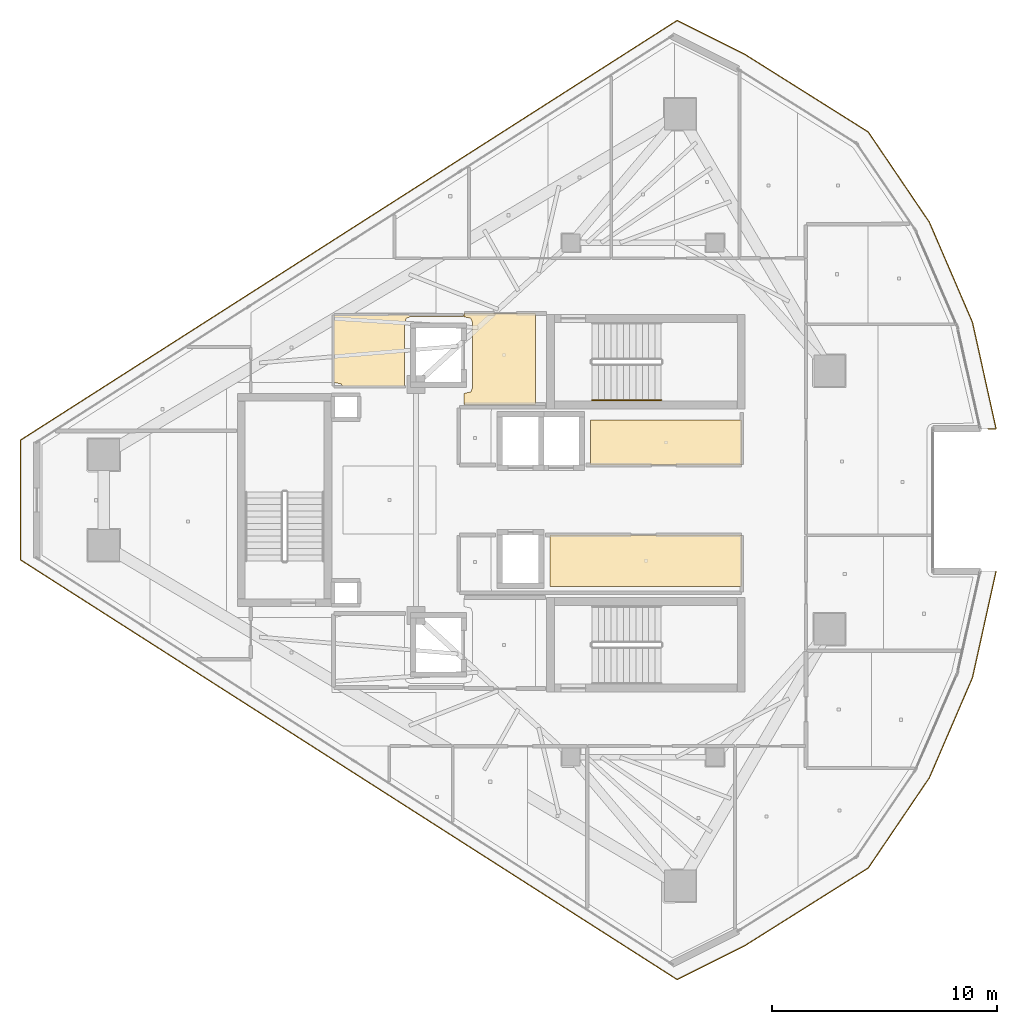
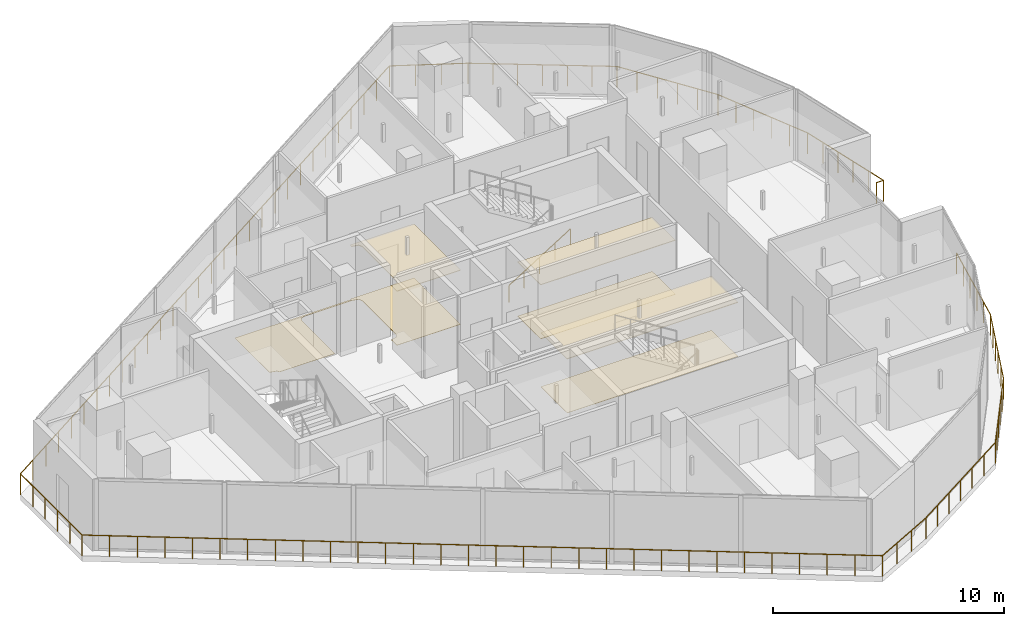
# One storey, part 24 of 26: 7 coverings, 2 railings.
"""IFC4 building model written with IfcOpenShell, lengths in metres."""

from ifc_helpers import new_model, si_unit, direction, frame, origin, origin_2d, place, context, subcontext, project, spatial, polyline, circle, outline, extrude, material, layer, layer_set, type_object, element, save


model = new_model("IFC4")

# Units and contexts
model_context = context("Model", 3, precision=1e-05, world=origin(), true_north=direction((0.0, 1.0)))
body_context = subcontext(model_context, "Body", "Model", "MODEL_VIEW")
ifc_project = project(units=[si_unit("LENGTHUNIT", "METRE"), si_unit("AREAUNIT", "SQUARE_METRE"), si_unit("VOLUMEUNIT", "CUBIC_METRE"), si_unit("PLANEANGLEUNIT", "RADIAN"), si_unit("MASSUNIT", "GRAM", prefix="KILO")], contexts=[model_context])

# Site, building, storey
site_placement = place(None, origin())
site = spatial("IfcSite", under=ifc_project, at=site_placement, CompositionType="ELEMENT")
building_placement = place(site_placement, origin())
building = spatial("IfcBuilding", under=site, at=building_placement, Name="Qorvath Tower", CompositionType="ELEMENT")
storey_placement = place(building_placement, frame((0.0, 0.0, 322.800048828125)))
storey = spatial("IfcBuildingStorey", under=building, at=storey_placement, Name="L75", CompositionType="ELEMENT", Elevation=322.800048828125)

# Coverings
ifc_material_1 = material(Name="Acoustic mineral fibre ceiling tile", Category="gypsum")
ifc_layer_1 = layer(ifc_material_1, 0.030029296875)
ifc_layer_set_1 = layer_set([ifc_layer_1], Name="COV-CEIL")
covering_type_1 = type_object("IfcCoveringType", Name="COV-CEIL", PredefinedType="CEILING", material=ifc_layer_set_1)
covering_1_placement = place(storey_placement, frame((0.0, 0.0, 2.849853515625)))
element("IfcCovering", 1, at=covering_1_placement, inside=storey, type_object=covering_type_1, Name="L75 Suspended Acoustic Ceiling 001", PredefinedType="CEILING", context=body_context, shape_type="SweptSolid", body=[
    extrude(outline(polyline([(-25.18994140625, 4.2548828125), (-25.18994140625, 8.294921875), (-28.375, 8.294921875), (-28.375, 8.159912109375), (-28.063232421875, 8.086669921875), (-27.989990234375, 7.909912109375), (-27.989990234375, 4.989990234375), (-28.063232421875, 4.813232421875), (-28.375, 4.739990234375), (-28.375, 4.2548828125), (-25.18994140625, 4.2548828125)])), origin(), (0.0, 0.0, 1.0), 0.030029296875),
])
covering_2_placement = place(storey_placement, frame((0.0, 0.0, 2.849853515625)))
element("IfcCovering", 2, at=covering_2_placement, inside=storey, type_object=covering_type_1, Name="L75 Suspended Acoustic Ceiling 003", PredefinedType="CEILING", context=body_context, shape_type="SweptSolid", body=[
    extrude(outline(polyline([(-16.0048828125, 3.56005859375), (-22.739990234375, 3.56005859375), (-22.739990234375, 1.56494140625), (-16.0048828125, 1.56494140625), (-16.0048828125, 3.56005859375)])), origin(), (0.0, 0.0, 1.0), 0.030029296875),
])
covering_3_placement = place(storey_placement, frame((0.0, 0.0, 2.849853515625)))
element("IfcCovering", 3, at=covering_3_placement, inside=storey, type_object=covering_type_1, Name="L75 Suspended Acoustic Ceiling 005", PredefinedType="CEILING", context=body_context, shape_type="SweptSolid", body=[
    extrude(outline(polyline([(-24.5400390625, -1.56494140625), (-24.5400390625, -3.85009765625), (-16.0048828125, -3.85009765625), (-16.0048828125, -1.56494140625), (-24.5400390625, -1.56494140625)])), origin(), (0.0, 0.0, 1.0), 0.030029296875),
])
ifc_material_2 = material(Name="Low-VOC modular carpet tile", Category="textile")
ifc_layer_2 = layer(ifc_material_2, 0.014892578125)
ifc_layer_set_2 = layer_set([ifc_layer_2], Name="COV-FLOOR-CPT")
covering_type_2 = type_object("IfcCoveringType", Name="COV-FLOOR-CPT", PredefinedType="FLOORING", material=ifc_layer_set_2)
covering_4_placement = place(storey_placement, origin())
element("IfcCovering", 4, at=covering_4_placement, inside=storey, type_object=covering_type_2, Name="L75 Floor Finish 003", PredefinedType="FLOORING", context=body_context, shape_type="SweptSolid", body=[
    extrude(outline(polyline([(-16.0048828125, 3.56005859375), (-22.739990234375, 3.56005859375), (-22.739990234375, 1.56494140625), (-16.0048828125, 1.56494140625), (-16.0048828125, 3.56005859375)])), origin(), (0.0, 0.0, 1.0), 0.014892578125),
])
covering_5_placement = place(storey_placement, origin())
element("IfcCovering", 5, at=covering_5_placement, inside=storey, type_object=covering_type_2, Name="L75 Floor Finish 005", PredefinedType="FLOORING", context=body_context, shape_type="SweptSolid", body=[
    extrude(outline(polyline([(-24.5400390625, -1.56494140625), (-24.5400390625, -3.85009765625), (-16.0048828125, -3.85009765625), (-16.0048828125, -1.56494140625), (-24.5400390625, -1.56494140625)])), origin(), (0.0, 0.0, 1.0), 0.014892578125),
])
ifc_material_3 = material(Name="Polished epoxy terrazzo flooring", Category="concrete")
ifc_layer_3 = layer(ifc_material_3, 0.02001953125)
ifc_layer_set_3 = layer_set([ifc_layer_3], Name="COV-FLOOR-TRZ")
covering_type_3 = type_object("IfcCoveringType", Name="COV-FLOOR-TRZ", PredefinedType="FLOORING", material=ifc_layer_set_3)
covering_6_placement = place(storey_placement, origin())
element("IfcCovering", 6, at=covering_6_placement, inside=storey, type_object=covering_type_3, Name="L75 Floor Finish 001", PredefinedType="FLOORING", context=body_context, shape_type="SweptSolid", body=[
    extrude(outline(polyline([(-25.18994140625, 4.2548828125), (-25.18994140625, 8.294921875), (-28.375, 8.294921875), (-28.375, 8.159912109375), (-28.063232421875, 8.086669921875), (-27.989990234375, 7.909912109375), (-27.989990234375, 4.989990234375), (-28.063232421875, 4.813232421875), (-28.375, 4.739990234375), (-28.375, 4.2548828125), (-25.18994140625, 4.2548828125)])), origin(), (0.0, 0.0, 1.0), 0.014892578125),
])
covering_7_placement = place(storey_placement, origin())
element("IfcCovering", 7, at=covering_7_placement, inside=storey, type_object=covering_type_3, Name="L75 Floor Finish 007", PredefinedType="FLOORING", context=body_context, shape_type="SweptSolid", body=[
    extrude(outline(polyline([(-31.010009765625, 5.054931640625), (-31.010009765625, 7.909912109375), (-30.936767578125, 8.086669921875), (-30.760009765625, 8.159912109375), (-28.39306640625, 8.159912109375), (-28.39306640625, 8.2451171875), (-34.175048828125, 8.2451171875), (-34.175048828125, 5.239990234375), (-33.833251953125, 5.166748046875), (-33.786865234375, 5.054931640625), (-31.010009765625, 5.054931640625)])), origin(), (0.0, 0.0, 1.0), 0.014892578125),
])

# Railings
ifc_material_4 = material(Name="Laminated safety glass and stainless steel AISI 316", Category="steel")
railing_type_1 = type_object("IfcRailingType", Name="RL-EXT-GRD", PredefinedType="GUARDRAIL", material=ifc_material_4)
railing_1_placement = place(storey_placement, frame((-4.6796875, -3.169921875, 0.0)))
element("IfcRailing", 8, at=railing_1_placement, inside=storey, type_object=railing_type_1, Name="Loggia Perimeter Guardrail L75-1.1", PredefinedType="GUARDRAIL", context=body_context, shape_type="SweptSolid", body=[
    extrude(circle(Radius=0.02392578125, at=origin_2d()), frame((0.0, 0.0, 1.09619140625), z_axis=(-0.216078275502, -0.976376043774, 0.0), x_axis=(0.976376043774, -0.216078275502, 0.0)), (0.0, 0.0, 1.0), 4.85400390625),
    extrude(circle(Radius=0.02392578125, at=origin_2d()), frame((-1.048828125, -4.7392578125, 1.09619140625), z_axis=(-0.395484869511, -0.918472491688, 0.0), x_axis=(0.918472491688, -0.395484869511, 0.0)), (0.0, 0.0, 1.0), 4.85400390625),
    extrude(circle(Radius=0.02392578125, at=origin_2d()), frame((-2.968505859375, -9.197509765625, 1.09619140625), z_axis=(-0.560871500089, -0.827902868933, 0.0), x_axis=(0.827902868933, -0.560871500089, 0.0)), (0.0, 0.0, 1.0), 4.85400390625),
    extrude(circle(Radius=0.02392578125, at=origin_2d()), frame((-5.69091796875, -13.216064453125, 1.09619140625), z_axis=(-0.846490446369, -0.532403910773, 0.0), x_axis=(0.532403910773, -0.846490446369, 0.0)), (0.0, 0.0, 1.0), 6.454833984375),
    extrude(circle(Radius=0.02392578125, at=origin_2d()), frame((-11.15478515625, -16.652587890625, 1.09619140625), z_axis=(-0.894427191, -0.4472135955, 0.0), x_axis=(0.4472135955, -0.894427191, 0.0)), (0.0, 0.0, 1.0), 3.40966796875),
    extrude(circle(Radius=0.02392578125, at=origin_2d()), frame((-14.20458984375, -18.177490234375, 1.09619140625), z_axis=(-0.842603990585, 0.538533671231, 0.0), x_axis=(-0.538533671231, -0.842603990585, 0.0)), (0.0, 0.0, 1.0), 34.684814453125),
    extrude(circle(Radius=0.02392578125, at=origin_2d()), frame((-43.43017578125, 0.50146484375, 1.09619140625), z_axis=(0.0, 1.0, 0.0), x_axis=(-1.0, 0.0, 0.0)), (0.0, 0.0, 1.0), 5.3369140625),
    extrude(circle(Radius=0.02392578125, at=origin_2d()), frame((-43.43017578125, 5.83837890625, 1.09619140625), z_axis=(0.842603990585, 0.538533671231, 0.0), x_axis=(-0.538533671231, 0.842603990585, 0.0)), (0.0, 0.0, 1.0), 34.684814453125),
    extrude(circle(Radius=0.02392578125, at=origin_2d()), frame((-14.20458984375, 24.517333984375, 1.09619140625), z_axis=(0.894427191, -0.4472135955, 0.0), x_axis=(0.4472135955, 0.894427191, 0.0)), (0.0, 0.0, 1.0), 3.40966796875),
    extrude(circle(Radius=0.02392578125, at=origin_2d()), frame((-11.15478515625, 22.992431640625, 1.09619140625), z_axis=(0.846490446369, -0.532403910773, 0.0), x_axis=(0.532403910773, 0.846490446369, 0.0)), (0.0, 0.0, 1.0), 6.454833984375),
    extrude(circle(Radius=0.02392578125, at=origin_2d()), frame((-5.69091796875, 19.555908203125, 1.09619140625), z_axis=(0.560871500089, -0.827902868933, 0.0), x_axis=(0.827902868933, 0.560871500089, 0.0)), (0.0, 0.0, 1.0), 4.85400390625),
    extrude(circle(Radius=0.02392578125, at=origin_2d()), frame((-2.968505859375, 15.537353515625, 1.09619140625), z_axis=(0.395484869511, -0.918472491688, 0.0), x_axis=(0.918472491688, 0.395484869511, 0.0)), (0.0, 0.0, 1.0), 4.85400390625),
    extrude(circle(Radius=0.02392578125, at=origin_2d()), frame((-1.048828125, 11.0791015625, 1.09619140625), z_axis=(0.216078275502, -0.976376043774, 0.0), x_axis=(0.976376043774, 0.216078275502, 0.0)), (0.0, 0.0, 1.0), 4.85400390625),
    extrude(circle(Radius=0.02392578125, at=origin_2d()), frame((0.0, 6.33984375, 1.09619140625), z_axis=(-1.0, 0.0, 0.0), x_axis=(0.0, -1.0, 0.0)), (0.0, 0.0, 1.0), 0.354248046875),
    extrude(circle(Radius=0.02099609375, at=origin_2d()), origin(), (0.0, 0.0, 1.0), 1.072021484375),
    extrude(circle(Radius=0.02099609375, at=origin_2d()), frame((-0.209716796875, -0.94775390625, 0.0)), (0.0, 0.0, 1.0), 1.072021484375),
    extrude(circle(Radius=0.02099609375, at=origin_2d()), frame((-0.41943359375, -1.895751953125, 0.0)), (0.0, 0.0, 1.0), 1.072021484375),
    extrude(circle(Radius=0.02099609375, at=origin_2d()), frame((-0.62939453125, -2.843505859375, 0.0)), (0.0, 0.0, 1.0), 1.072021484375),
    extrude(circle(Radius=0.02099609375, at=origin_2d()), frame((-0.839111328125, -3.79150390625, 0.0)), (0.0, 0.0, 1.0), 1.072021484375),
    extrude(circle(Radius=0.02099609375, at=origin_2d()), frame((-1.048828125, -4.7392578125, 0.0)), (0.0, 0.0, 1.0), 1.072021484375),
    extrude(circle(Radius=0.02099609375, at=origin_2d()), frame((-1.432861328125, -5.630859375, 0.0)), (0.0, 0.0, 1.0), 1.072021484375),
    extrude(circle(Radius=0.02099609375, at=origin_2d()), frame((-1.816650390625, -6.5224609375, 0.0)), (0.0, 0.0, 1.0), 1.072021484375),
    extrude(circle(Radius=0.02099609375, at=origin_2d()), frame((-2.20068359375, -7.414306640625, 0.0)), (0.0, 0.0, 1.0), 1.072021484375),
    extrude(circle(Radius=0.02099609375, at=origin_2d()), frame((-2.58447265625, -8.305908203125, 0.0)), (0.0, 0.0, 1.0), 1.072021484375),
    extrude(circle(Radius=0.02099609375, at=origin_2d()), frame((-2.968505859375, -9.197509765625, 0.0)), (0.0, 0.0, 1.0), 1.072021484375),
    extrude(circle(Radius=0.02099609375, at=origin_2d()), frame((-3.512939453125, -10.001220703125, 0.0)), (0.0, 0.0, 1.0), 1.072021484375),
    extrude(circle(Radius=0.02099609375, at=origin_2d()), frame((-4.057373046875, -10.804931640625, 0.0)), (0.0, 0.0, 1.0), 1.072021484375),
    extrude(circle(Radius=0.02099609375, at=origin_2d()), frame((-4.60205078125, -11.608642578125, 0.0)), (0.0, 0.0, 1.0), 1.072021484375),
    extrude(circle(Radius=0.02099609375, at=origin_2d()), frame((-5.146484375, -12.412353515625, 0.0)), (0.0, 0.0, 1.0), 1.072021484375),
    extrude(circle(Radius=0.02099609375, at=origin_2d()), frame((-5.69091796875, -13.216064453125, 0.0)), (0.0, 0.0, 1.0), 1.072021484375),
    extrude(circle(Radius=0.02099609375, at=origin_2d()), frame((-6.6015625, -13.788818359375, 0.0)), (0.0, 0.0, 1.0), 1.072021484375),
    extrude(circle(Radius=0.02099609375, at=origin_2d()), frame((-7.51220703125, -14.361572265625, 0.0)), (0.0, 0.0, 1.0), 1.072021484375),
    extrude(circle(Radius=0.02099609375, at=origin_2d()), frame((-8.4228515625, -14.934326171875, 0.0)), (0.0, 0.0, 1.0), 1.072021484375),
    extrude(circle(Radius=0.02099609375, at=origin_2d()), frame((-9.33349609375, -15.507080078125, 0.0)), (0.0, 0.0, 1.0), 1.072021484375),
    extrude(circle(Radius=0.02099609375, at=origin_2d()), frame((-10.244140625, -16.079833984375, 0.0)), (0.0, 0.0, 1.0), 1.072021484375),
    extrude(circle(Radius=0.02099609375, at=origin_2d()), frame((-11.15478515625, -16.652587890625, 0.0)), (0.0, 0.0, 1.0), 1.072021484375),
    extrude(circle(Radius=0.02099609375, at=origin_2d()), frame((-12.17138671875, -17.160888671875, 0.0)), (0.0, 0.0, 1.0), 1.072021484375),
    extrude(circle(Radius=0.02099609375, at=origin_2d()), frame((-13.18798828125, -17.669189453125, 0.0)), (0.0, 0.0, 1.0), 1.072021484375),
    extrude(circle(Radius=0.02099609375, at=origin_2d()), frame((-14.20458984375, -18.177490234375, 0.0)), (0.0, 0.0, 1.0), 1.072021484375),
    extrude(circle(Radius=0.02099609375, at=origin_2d()), frame((-15.21240234375, -17.533447265625, 0.0)), (0.0, 0.0, 1.0), 1.072021484375),
    extrude(circle(Radius=0.02099609375, at=origin_2d()), frame((-16.22021484375, -16.889404296875, 0.0)), (0.0, 0.0, 1.0), 1.072021484375),
    extrude(circle(Radius=0.02099609375, at=origin_2d()), frame((-17.22802734375, -16.2451171875, 0.0)), (0.0, 0.0, 1.0), 1.072021484375),
    extrude(circle(Radius=0.02099609375, at=origin_2d()), frame((-18.235595703125, -15.60107421875, 0.0)), (0.0, 0.0, 1.0), 1.072021484375),
    extrude(circle(Radius=0.02099609375, at=origin_2d()), frame((-19.243408203125, -14.95703125, 0.0)), (0.0, 0.0, 1.0), 1.072021484375),
    extrude(circle(Radius=0.02099609375, at=origin_2d()), frame((-20.251220703125, -14.31298828125, 0.0)), (0.0, 0.0, 1.0), 1.072021484375),
    extrude(circle(Radius=0.02099609375, at=origin_2d()), frame((-21.259033203125, -13.668701171875, 0.0)), (0.0, 0.0, 1.0), 1.072021484375),
    extrude(circle(Radius=0.02099609375, at=origin_2d()), frame((-22.266845703125, -13.024658203125, 0.0)), (0.0, 0.0, 1.0), 1.072021484375),
    extrude(circle(Radius=0.02099609375, at=origin_2d()), frame((-23.274658203125, -12.380615234375, 0.0)), (0.0, 0.0, 1.0), 1.072021484375),
    extrude(circle(Radius=0.02099609375, at=origin_2d()), frame((-24.282470703125, -11.736572265625, 0.0)), (0.0, 0.0, 1.0), 1.072021484375),
    extrude(circle(Radius=0.02099609375, at=origin_2d()), frame((-25.2900390625, -11.09228515625, 0.0)), (0.0, 0.0, 1.0), 1.072021484375),
    extrude(circle(Radius=0.02099609375, at=origin_2d()), frame((-26.2978515625, -10.4482421875, 0.0)), (0.0, 0.0, 1.0), 1.072021484375),
    extrude(circle(Radius=0.02099609375, at=origin_2d()), frame((-27.3056640625, -9.80419921875, 0.0)), (0.0, 0.0, 1.0), 1.072021484375),
    extrude(circle(Radius=0.02099609375, at=origin_2d()), frame((-28.3134765625, -9.16015625, 0.0)), (0.0, 0.0, 1.0), 1.072021484375),
    extrude(circle(Radius=0.02099609375, at=origin_2d()), frame((-29.3212890625, -8.515869140625, 0.0)), (0.0, 0.0, 1.0), 1.072021484375),
    extrude(circle(Radius=0.02099609375, at=origin_2d()), frame((-30.3291015625, -7.871826171875, 0.0)), (0.0, 0.0, 1.0), 1.072021484375),
    extrude(circle(Radius=0.02099609375, at=origin_2d()), frame((-31.3369140625, -7.227783203125, 0.0)), (0.0, 0.0, 1.0), 1.072021484375),
    extrude(circle(Radius=0.02099609375, at=origin_2d()), frame((-32.3447265625, -6.583740234375, 0.0)), (0.0, 0.0, 1.0), 1.072021484375),
    extrude(circle(Radius=0.02099609375, at=origin_2d()), frame((-33.352294921875, -5.939453125, 0.0)), (0.0, 0.0, 1.0), 1.072021484375),
    extrude(circle(Radius=0.02099609375, at=origin_2d()), frame((-34.360107421875, -5.29541015625, 0.0)), (0.0, 0.0, 1.0), 1.072021484375),
    extrude(circle(Radius=0.02099609375, at=origin_2d()), frame((-35.367919921875, -4.6513671875, 0.0)), (0.0, 0.0, 1.0), 1.072021484375),
    extrude(circle(Radius=0.02099609375, at=origin_2d()), frame((-36.375732421875, -4.00732421875, 0.0)), (0.0, 0.0, 1.0), 1.072021484375),
    extrude(circle(Radius=0.02099609375, at=origin_2d()), frame((-37.383544921875, -3.363037109375, 0.0)), (0.0, 0.0, 1.0), 1.072021484375),
    extrude(circle(Radius=0.02099609375, at=origin_2d()), frame((-38.391357421875, -2.718994140625, 0.0)), (0.0, 0.0, 1.0), 1.072021484375),
    extrude(circle(Radius=0.02099609375, at=origin_2d()), frame((-39.399169921875, -2.074951171875, 0.0)), (0.0, 0.0, 1.0), 1.072021484375),
    extrude(circle(Radius=0.02099609375, at=origin_2d()), frame((-40.40673828125, -1.430908203125, 0.0)), (0.0, 0.0, 1.0), 1.072021484375),
    extrude(circle(Radius=0.02099609375, at=origin_2d()), frame((-41.41455078125, -0.78662109375, 0.0)), (0.0, 0.0, 1.0), 1.072021484375),
    extrude(circle(Radius=0.02099609375, at=origin_2d()), frame((-42.42236328125, -0.142578125, 0.0)), (0.0, 0.0, 1.0), 1.072021484375),
    extrude(circle(Radius=0.02099609375, at=origin_2d()), frame((-43.43017578125, 0.50146484375, 0.0)), (0.0, 0.0, 1.0), 1.072021484375),
    extrude(circle(Radius=0.02099609375, at=origin_2d()), frame((-43.43017578125, 1.56884765625, 0.0)), (0.0, 0.0, 1.0), 1.072021484375),
    extrude(circle(Radius=0.02099609375, at=origin_2d()), frame((-43.43017578125, 2.63623046875, 0.0)), (0.0, 0.0, 1.0), 1.072021484375),
    extrude(circle(Radius=0.02099609375, at=origin_2d()), frame((-43.43017578125, 3.70361328125, 0.0)), (0.0, 0.0, 1.0), 1.072021484375),
    extrude(circle(Radius=0.02099609375, at=origin_2d()), frame((-43.43017578125, 4.77099609375, 0.0)), (0.0, 0.0, 1.0), 1.072021484375),
    extrude(circle(Radius=0.02099609375, at=origin_2d()), frame((-43.43017578125, 5.83837890625, 0.0)), (0.0, 0.0, 1.0), 1.072021484375),
    extrude(circle(Radius=0.02099609375, at=origin_2d()), frame((-42.42236328125, 6.482421875, 0.0)), (0.0, 0.0, 1.0), 1.072021484375),
    extrude(circle(Radius=0.02099609375, at=origin_2d()), frame((-41.41455078125, 7.12646484375, 0.0)), (0.0, 0.0, 1.0), 1.072021484375),
    extrude(circle(Radius=0.02099609375, at=origin_2d()), frame((-40.40673828125, 7.770751953125, 0.0)), (0.0, 0.0, 1.0), 1.072021484375),
    extrude(circle(Radius=0.02099609375, at=origin_2d()), frame((-39.399169921875, 8.414794921875, 0.0)), (0.0, 0.0, 1.0), 1.072021484375),
    extrude(circle(Radius=0.02099609375, at=origin_2d()), frame((-38.391357421875, 9.058837890625, 0.0)), (0.0, 0.0, 1.0), 1.072021484375),
    extrude(circle(Radius=0.02099609375, at=origin_2d()), frame((-37.383544921875, 9.702880859375, 0.0)), (0.0, 0.0, 1.0), 1.072021484375),
    extrude(circle(Radius=0.02099609375, at=origin_2d()), frame((-36.375732421875, 10.34716796875, 0.0)), (0.0, 0.0, 1.0), 1.072021484375),
    extrude(circle(Radius=0.02099609375, at=origin_2d()), frame((-35.367919921875, 10.9912109375, 0.0)), (0.0, 0.0, 1.0), 1.072021484375),
    extrude(circle(Radius=0.02099609375, at=origin_2d()), frame((-34.360107421875, 11.63525390625, 0.0)), (0.0, 0.0, 1.0), 1.072021484375),
    extrude(circle(Radius=0.02099609375, at=origin_2d()), frame((-33.352294921875, 12.279296875, 0.0)), (0.0, 0.0, 1.0), 1.072021484375),
    extrude(circle(Radius=0.02099609375, at=origin_2d()), frame((-32.3447265625, 12.923583984375, 0.0)), (0.0, 0.0, 1.0), 1.072021484375),
    extrude(circle(Radius=0.02099609375, at=origin_2d()), frame((-31.3369140625, 13.567626953125, 0.0)), (0.0, 0.0, 1.0), 1.072021484375),
    extrude(circle(Radius=0.02099609375, at=origin_2d()), frame((-30.3291015625, 14.211669921875, 0.0)), (0.0, 0.0, 1.0), 1.072021484375),
    extrude(circle(Radius=0.02099609375, at=origin_2d()), frame((-29.3212890625, 14.855712890625, 0.0)), (0.0, 0.0, 1.0), 1.072021484375),
    extrude(circle(Radius=0.02099609375, at=origin_2d()), frame((-28.3134765625, 15.5, 0.0)), (0.0, 0.0, 1.0), 1.072021484375),
    extrude(circle(Radius=0.02099609375, at=origin_2d()), frame((-27.3056640625, 16.14404296875, 0.0)), (0.0, 0.0, 1.0), 1.072021484375),
    extrude(circle(Radius=0.02099609375, at=origin_2d()), frame((-26.2978515625, 16.7880859375, 0.0)), (0.0, 0.0, 1.0), 1.072021484375),
    extrude(circle(Radius=0.02099609375, at=origin_2d()), frame((-25.2900390625, 17.43212890625, 0.0)), (0.0, 0.0, 1.0), 1.072021484375),
    extrude(circle(Radius=0.02099609375, at=origin_2d()), frame((-24.282470703125, 18.076416015625, 0.0)), (0.0, 0.0, 1.0), 1.072021484375),
    extrude(circle(Radius=0.02099609375, at=origin_2d()), frame((-23.274658203125, 18.720458984375, 0.0)), (0.0, 0.0, 1.0), 1.072021484375),
    extrude(circle(Radius=0.02099609375, at=origin_2d()), frame((-22.266845703125, 19.364501953125, 0.0)), (0.0, 0.0, 1.0), 1.072021484375),
    extrude(circle(Radius=0.02099609375, at=origin_2d()), frame((-21.259033203125, 20.008544921875, 0.0)), (0.0, 0.0, 1.0), 1.072021484375),
    extrude(circle(Radius=0.02099609375, at=origin_2d()), frame((-20.251220703125, 20.65283203125, 0.0)), (0.0, 0.0, 1.0), 1.072021484375),
    extrude(circle(Radius=0.02099609375, at=origin_2d()), frame((-19.243408203125, 21.296875, 0.0)), (0.0, 0.0, 1.0), 1.072021484375),
    extrude(circle(Radius=0.02099609375, at=origin_2d()), frame((-18.235595703125, 21.94091796875, 0.0)), (0.0, 0.0, 1.0), 1.072021484375),
    extrude(circle(Radius=0.02099609375, at=origin_2d()), frame((-17.22802734375, 22.5849609375, 0.0)), (0.0, 0.0, 1.0), 1.072021484375),
    extrude(circle(Radius=0.02099609375, at=origin_2d()), frame((-16.22021484375, 23.229248046875, 0.0)), (0.0, 0.0, 1.0), 1.072021484375),
    extrude(circle(Radius=0.02099609375, at=origin_2d()), frame((-15.21240234375, 23.873291015625, 0.0)), (0.0, 0.0, 1.0), 1.072021484375),
    extrude(circle(Radius=0.02099609375, at=origin_2d()), frame((-14.20458984375, 24.517333984375, 0.0)), (0.0, 0.0, 1.0), 1.072021484375),
    extrude(circle(Radius=0.02099609375, at=origin_2d()), frame((-13.18798828125, 24.009033203125, 0.0)), (0.0, 0.0, 1.0), 1.072021484375),
    extrude(circle(Radius=0.02099609375, at=origin_2d()), frame((-12.17138671875, 23.500732421875, 0.0)), (0.0, 0.0, 1.0), 1.072021484375),
    extrude(circle(Radius=0.02099609375, at=origin_2d()), frame((-11.15478515625, 22.992431640625, 0.0)), (0.0, 0.0, 1.0), 1.072021484375),
    extrude(circle(Radius=0.02099609375, at=origin_2d()), frame((-10.244140625, 22.419677734375, 0.0)), (0.0, 0.0, 1.0), 1.072021484375),
    extrude(circle(Radius=0.02099609375, at=origin_2d()), frame((-9.33349609375, 21.846923828125, 0.0)), (0.0, 0.0, 1.0), 1.072021484375),
    extrude(circle(Radius=0.02099609375, at=origin_2d()), frame((-8.4228515625, 21.274169921875, 0.0)), (0.0, 0.0, 1.0), 1.072021484375),
    extrude(circle(Radius=0.02099609375, at=origin_2d()), frame((-7.51220703125, 20.701416015625, 0.0)), (0.0, 0.0, 1.0), 1.072021484375),
    extrude(circle(Radius=0.02099609375, at=origin_2d()), frame((-6.6015625, 20.128662109375, 0.0)), (0.0, 0.0, 1.0), 1.072021484375),
    extrude(circle(Radius=0.02099609375, at=origin_2d()), frame((-5.69091796875, 19.555908203125, 0.0)), (0.0, 0.0, 1.0), 1.072021484375),
    extrude(circle(Radius=0.02099609375, at=origin_2d()), frame((-5.146484375, 18.752197265625, 0.0)), (0.0, 0.0, 1.0), 1.072021484375),
    extrude(circle(Radius=0.02099609375, at=origin_2d()), frame((-4.60205078125, 17.948486328125, 0.0)), (0.0, 0.0, 1.0), 1.072021484375),
    extrude(circle(Radius=0.02099609375, at=origin_2d()), frame((-4.057373046875, 17.144775390625, 0.0)), (0.0, 0.0, 1.0), 1.072021484375),
    extrude(circle(Radius=0.02099609375, at=origin_2d()), frame((-3.512939453125, 16.341064453125, 0.0)), (0.0, 0.0, 1.0), 1.072021484375),
    extrude(circle(Radius=0.02099609375, at=origin_2d()), frame((-2.968505859375, 15.537353515625, 0.0)), (0.0, 0.0, 1.0), 1.072021484375),
    extrude(circle(Radius=0.02099609375, at=origin_2d()), frame((-2.58447265625, 14.645751953125, 0.0)), (0.0, 0.0, 1.0), 1.072021484375),
    extrude(circle(Radius=0.02099609375, at=origin_2d()), frame((-2.20068359375, 13.754150390625, 0.0)), (0.0, 0.0, 1.0), 1.072021484375),
    extrude(circle(Radius=0.02099609375, at=origin_2d()), frame((-1.816650390625, 12.8623046875, 0.0)), (0.0, 0.0, 1.0), 1.072021484375),
    extrude(circle(Radius=0.02099609375, at=origin_2d()), frame((-1.432861328125, 11.970703125, 0.0)), (0.0, 0.0, 1.0), 1.072021484375),
    extrude(circle(Radius=0.02099609375, at=origin_2d()), frame((-1.048828125, 11.0791015625, 0.0)), (0.0, 0.0, 1.0), 1.072021484375),
    extrude(circle(Radius=0.02099609375, at=origin_2d()), frame((-0.839111328125, 10.13134765625, 0.0)), (0.0, 0.0, 1.0), 1.072021484375),
    extrude(circle(Radius=0.02099609375, at=origin_2d()), frame((-0.62939453125, 9.183349609375, 0.0)), (0.0, 0.0, 1.0), 1.072021484375),
    extrude(circle(Radius=0.02099609375, at=origin_2d()), frame((-0.41943359375, 8.235595703125, 0.0)), (0.0, 0.0, 1.0), 1.072021484375),
    extrude(circle(Radius=0.02099609375, at=origin_2d()), frame((-0.209716796875, 7.28759765625, 0.0)), (0.0, 0.0, 1.0), 1.072021484375),
    extrude(circle(Radius=0.02099609375, at=origin_2d()), frame((0.0, 6.33984375, 0.0)), (0.0, 0.0, 1.0), 1.072021484375),
    extrude(circle(Radius=0.02099609375, at=origin_2d()), frame((-0.354248046875, 6.33984375, 0.0)), (0.0, 0.0, 1.0), 1.072021484375),
])
ifc_material_5 = material(Name="Brushed stainless steel AISI 304", Category="steel")
railing_type_2 = type_object("IfcRailingType", Name="RL-STR-HND", PredefinedType="HANDRAIL", material=ifc_material_5)
railing_2_placement = place(storey_placement, frame((-22.669921875, 4.449951171875, 0.175048828125)))
element("IfcRailing", 9, at=railing_2_placement, inside=storey, type_object=railing_type_2, Name="L75 TS1 stair handrail 1", PredefinedType="HANDRAIL", context=body_context, shape_type="SweptSolid", body=[
    extrude(circle(Radius=0.02392578125, at=origin_2d()), frame((0.0, 0.0, 0.8759765625), z_axis=(0.848009633417, 0.0, 0.529980812513), x_axis=(0.0, 1.0, 0.0)), (0.0, 0.0, 1.0), 3.6318359375),
    extrude(circle(Radius=0.02099609375, at=origin_2d()), origin(), (0.0, 0.0, 1.0), 0.851806640625),
    extrude(circle(Radius=0.02099609375, at=origin_2d()), frame((0.77001953125, 0.0, 0.481201171875)), (0.0, 0.0, 1.0), 0.851806640625),
    extrude(circle(Radius=0.02099609375, at=origin_2d()), frame((1.5400390625, 0.0, 0.96240234375)), (0.0, 0.0, 1.0), 0.851806640625),
    extrude(circle(Radius=0.02099609375, at=origin_2d()), frame((2.309814453125, 0.0, 1.443603515625)), (0.0, 0.0, 1.0), 0.851806640625),
    extrude(circle(Radius=0.02099609375, at=origin_2d()), frame((3.079833984375, 0.0, 1.9248046875)), (0.0, 0.0, 1.0), 0.851806640625),
])

save(model, "model.ifc")
